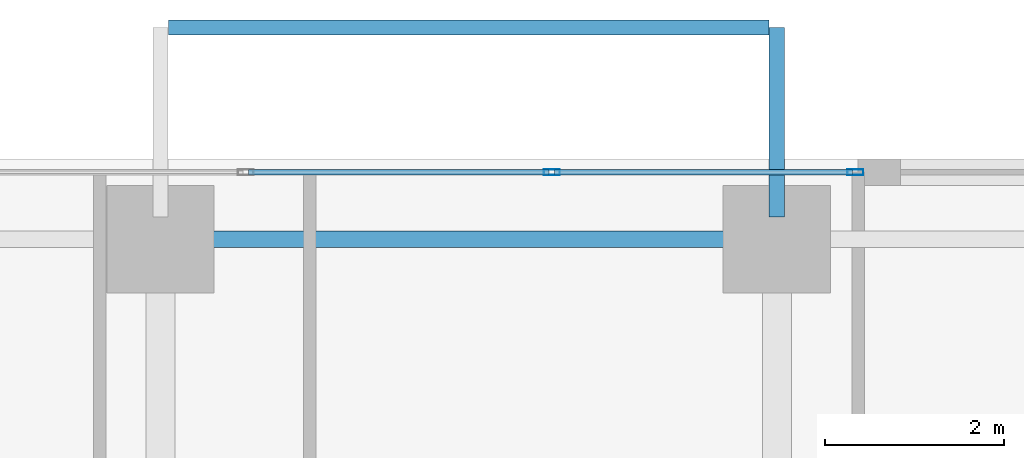
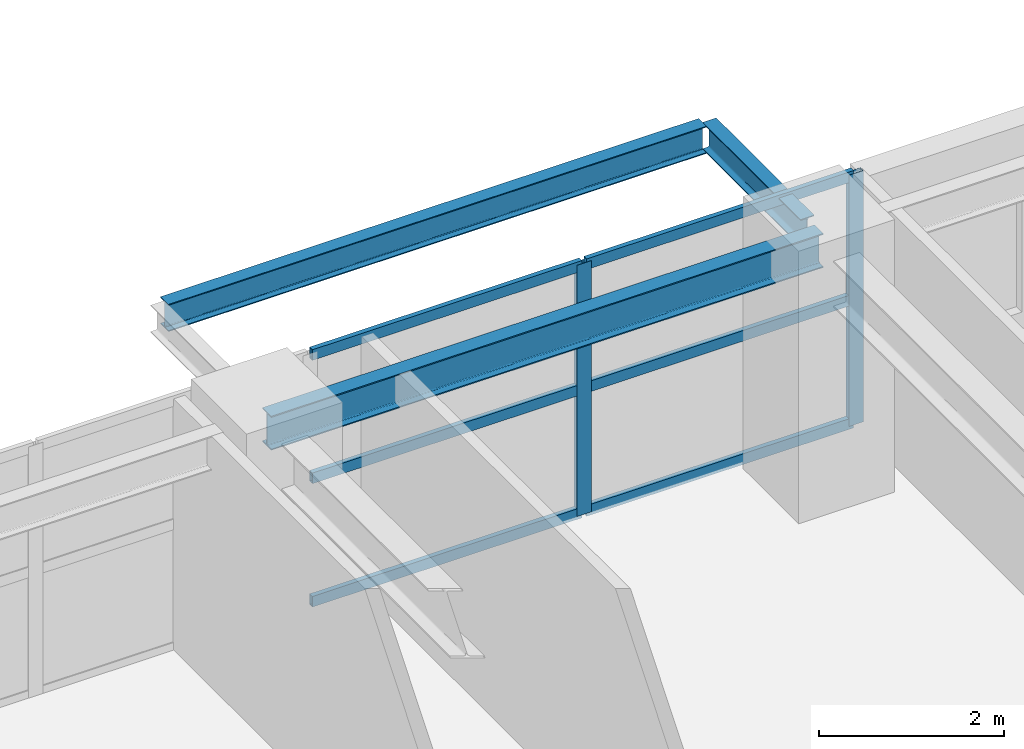
# One storey, part 15 of 24: 8 members, 3 beams, 1 element without a shape of its own.
"""IFC4 building model written with IfcOpenShell, lengths in metres."""

from ifc_helpers import new_model, si_unit, direction, frame, origin, origin_2d, place, context, subcontext, project, spatial, hollow_rectangle, i_section, extrude, source, transform, mapped, material, layer, layer_set, material_profile, profile_set, type_object, element, aggregate, save


model = new_model("IFC4")

# Units and contexts
model_context = context("Model", 3, precision=1e-05, world=origin(), true_north=direction((0.0, 1.0)))
body_context = subcontext(model_context, "Body", "Model", "MODEL_VIEW")
ifc_project = project(units=[si_unit("LENGTHUNIT", "METRE"), si_unit("AREAUNIT", "SQUARE_METRE"), si_unit("VOLUMEUNIT", "CUBIC_METRE"), si_unit("PLANEANGLEUNIT", "RADIAN"), si_unit("MASSUNIT", "GRAM", prefix="KILO")], contexts=[model_context])

# Site, building, storey
site_placement = place(None, origin())
site = spatial("IfcSite", under=ifc_project, at=site_placement, CompositionType="ELEMENT")
building_placement = place(site_placement, origin())
building = spatial("IfcBuilding", under=site, at=building_placement, Name="Khoralis Quay Care Tower", CompositionType="ELEMENT")
storey_placement = place(building_placement, frame((0.0, 0.0, 54.89990234375)))
storey = spatial("IfcBuildingStorey", under=building, at=storey_placement, Name="L14", CompositionType="ELEMENT", Elevation=54.89990234375)

# Beam
ifc_material_1 = material(Name="Steel S355", Category="steel")
ifc_material_profile_1 = material_profile(ifc_material_1, i_section(OverallWidth=0.18994140625, OverallDepth=0.449951171875, WebThickness=0.009521484375, FlangeThickness=0.0146484375, FilletRadius=0.02099609375, at=origin_2d()), Name="Steel S355")
ifc_profile_set_1 = profile_set([ifc_material_profile_1], Name="Steel S355")
beam_type_1 = type_object("IfcBeamType", Name="BM-IPE450", PredefinedType="SPANDREL", material=ifc_profile_set_1)
shared_shape_1 = source(origin(), body_context, "Body", "SweptSolid", [
    extrude(i_section(OverallWidth=0.18994140625, OverallDepth=0.449951171875, WebThickness=0.009521484375, FlangeThickness=0.0146484375, FilletRadius=0.02099609375, at=origin_2d()), origin(), (0.0, 0.0, 1.0), 6.89990234375),
])
beam_1_placement = place(storey_placement, frame((24.0, 47.10009765625, 3.09521484375), z_axis=(1.0, 0.0, 0.0), x_axis=(0.0, 1.0, 0.0)))
element("IfcBeam", 1, at=beam_1_placement, inside=storey, type_object=beam_type_1, Name="BM-TSP-L14-10", PredefinedType="SPANDREL", context=body_context, shape_type="MappedRepresentation", body=[
    mapped(shared_shape_1, transform((0.0, 0.0, 0.0), scale=1.0)),
])

# Curtain wall, members
ifc_material_2 = material(Name="Pale anodised aluminium", Category="aluminium")
ifc_layer = layer(ifc_material_2, 0.179931640625)
ifc_layer_set = layer_set([ifc_layer], Name="Pale anodised aluminium")
curtain_wall_type = type_object("IfcCurtainWallType", Name="CW-SYS-Z1", PredefinedType="NOTDEFINED", material=ifc_layer_set)
curtain_wall_placement = place(storey_placement, origin())
curtain_wall = element("IfcCurtainWall", 2, at=curtain_wall_placement, inside=storey, type_object=curtain_wall_type, Name="L14 Unitised Curtain Wall CW-L14-P1-E10", PredefinedType="NOTDEFINED")
ifc_material_profile_2 = material_profile(ifc_material_2, hollow_rectangle(XDim=0.06494140625, YDim=0.179931640625, WallThickness=0.00390625, at=origin_2d()), Name="Pale anodised aluminium")
ifc_profile_set_2 = profile_set([ifc_material_profile_2], Name="Pale anodised aluminium")
member_type_1 = type_object("IfcMemberType", Name="CW-MUL-180", PredefinedType="MULLION", material=ifc_profile_set_2)
shared_shape_2 = source(origin(), body_context, "Body", "SweptSolid", [
    extrude(hollow_rectangle(XDim=0.06494140625, YDim=0.179931640625, WallThickness=0.00390625, at=origin_2d()), origin(), (0.0, 0.0, 1.0), 3.320068359375),
])
member_1_placement = place(storey_placement, frame((31.780029296875, 47.85009765625, 0.0), z_axis=(0.0, 0.0, 1.0), x_axis=(0.0, -1.0, 0.0)))
member_1 = element("IfcMember", 3, at=member_1_placement, type_object=member_type_1, Name="CW1 mullion 1", PredefinedType="MULLION", context=body_context, shape_type="MappedRepresentation", body=[
    mapped(shared_shape_2, transform((0.0, 0.0, 0.0), scale=1.0)),
])
member_2_placement = place(storey_placement, frame((28.382080078125, 47.85009765625, 0.0), z_axis=(0.0, 0.0, 1.0), x_axis=(0.0, -1.0, 0.0)))
member_2 = element("IfcMember", 4, at=member_2_placement, type_object=member_type_1, Name="CW1 mullion 2", PredefinedType="MULLION", context=body_context, shape_type="MappedRepresentation", body=[
    mapped(shared_shape_2, transform((0.0, 0.0, 0.0), scale=1.0)),
])

# Beams
ifc_material_profile_3 = material_profile(ifc_material_1, i_section(OverallWidth=0.169921875, OverallDepth=0.360107421875, WebThickness=0.008056640625, FlangeThickness=0.0126953125, FilletRadius=0.01806640625, at=origin_2d()), Name="Steel S355")
ifc_profile_set_3 = profile_set([ifc_material_profile_3], Name="Steel S355")
beam_type_2 = type_object("IfcBeamType", Name="BM-IPE360", PredefinedType="SPANDREL", material=ifc_profile_set_3)
shared_shape_3 = source(origin(), body_context, "Body", "SweptSolid", [
    extrude(i_section(OverallWidth=0.169921875, OverallDepth=0.360107421875, WebThickness=0.008056640625, FlangeThickness=0.0126953125, FilletRadius=0.01806640625, at=origin_2d()), origin(), (0.0, 0.0, 1.0), 2.119873046875),
])
beam_2_placement = place(storey_placement, frame((30.89990234375, 47.35009765625, 3.14404296875), z_axis=(0.0, 1.0, 0.0), x_axis=(-1.0, 0.0, 0.0)))
element("IfcBeam", 5, at=beam_2_placement, inside=storey, type_object=beam_type_2, Name="L15 Balcony Cantilever Outrigger Beam 2", PredefinedType="SPANDREL", context=body_context, shape_type="MappedRepresentation", body=[
    mapped(shared_shape_3, transform((0.0, 0.0, 0.0), scale=1.0)),
])
shared_shape_4 = source(origin(), body_context, "Body", "SweptSolid", [
    extrude(i_section(OverallWidth=0.169921875, OverallDepth=0.360107421875, WebThickness=0.008056640625, FlangeThickness=0.0126953125, FilletRadius=0.01806640625, at=origin_2d()), origin(), (0.0, 0.0, 1.0), 6.72412109375),
])
beam_3_placement = place(storey_placement, frame((24.087890625, 49.469970703125, 3.14404296875), z_axis=(1.0, 0.0, 0.0), x_axis=(0.0, 1.0, 0.0)))
element("IfcBeam", 6, at=beam_3_placement, inside=storey, type_object=beam_type_2, Name="L15 Balcony Edge Spandrel Beam P1E10", PredefinedType="SPANDREL", context=body_context, shape_type="MappedRepresentation", body=[
    mapped(shared_shape_4, transform((0.0, 0.0, 0.0), scale=1.0)),
])

# Member
ifc_material_profile_4 = material_profile(ifc_material_2, hollow_rectangle(XDim=0.06005859375, YDim=0.139892578125, WallThickness=0.00390625, at=origin_2d()), Name="Pale anodised aluminium")
ifc_profile_set_4 = profile_set([ifc_material_profile_4], Name="Pale anodised aluminium")
member_type_2 = type_object("IfcMemberType", Name="CW-TRN-140", PredefinedType="USERDEFINED", material=ifc_profile_set_4)
shared_shape_5 = source(origin(), body_context, "Body", "SweptSolid", [
    extrude(hollow_rectangle(XDim=0.06005859375, YDim=0.139892578125, WallThickness=0.00390625, at=origin_2d()), origin(), (0.0, 0.0, 1.0), 3.337890625),
])
member_3_placement = place(storey_placement, frame((31.75, 47.85009765625, 0.030029296875), z_axis=(-1.0, 0.0, 0.0), x_axis=(0.0, -1.0, 0.0)))
member_3 = element("IfcMember", 7, at=member_3_placement, type_object=member_type_2, Name="CW1 transom 1.1", ObjectType="TRANSOM", PredefinedType="USERDEFINED", context=body_context, shape_type="MappedRepresentation", body=[
    mapped(shared_shape_5, transform((0.0, 0.0, 0.0), scale=1.0)),
])

member_4_placement = place(storey_placement, frame((31.75, 47.85009765625, 1.66015625), z_axis=(-1.0, 0.0, 0.0), x_axis=(0.0, -1.0, 0.0)))
member_4 = element("IfcMember", 8, at=member_4_placement, type_object=member_type_2, Name="CW1 transom 1.2", ObjectType="TRANSOM", PredefinedType="USERDEFINED", context=body_context, shape_type="MappedRepresentation", body=[
    mapped(shared_shape_5, transform((0.0, 0.0, 0.0), scale=1.0)),
])

member_5_placement = place(storey_placement, frame((31.75, 47.85009765625, 3.2900390625), z_axis=(-1.0, 0.0, 0.0), x_axis=(0.0, -1.0, 0.0)))
member_5 = element("IfcMember", 9, at=member_5_placement, type_object=member_type_2, Name="CW1 transom 1.3", ObjectType="TRANSOM", PredefinedType="USERDEFINED", context=body_context, shape_type="MappedRepresentation", body=[
    mapped(shared_shape_5, transform((0.0, 0.0, 0.0), scale=1.0)),
])

shared_shape_6 = source(origin(), body_context, "Body", "SweptSolid", [
    extrude(hollow_rectangle(XDim=0.06005859375, YDim=0.139892578125, WallThickness=0.00390625, at=origin_2d()), origin(), (0.0, 0.0, 1.0), 3.3681640625),
])
member_6_placement = place(storey_placement, frame((28.35205078125, 47.85009765625, 0.030029296875), z_axis=(-1.0, 0.0, 0.0), x_axis=(0.0, -1.0, 0.0)))
member_6 = element("IfcMember", 10, at=member_6_placement, type_object=member_type_2, Name="CW1 transom 2.1", ObjectType="TRANSOM", PredefinedType="USERDEFINED", context=body_context, shape_type="MappedRepresentation", body=[
    mapped(shared_shape_6, transform((0.0, 0.0, 0.0), scale=1.0)),
])

member_7_placement = place(storey_placement, frame((28.35205078125, 47.85009765625, 1.66015625), z_axis=(-1.0, 0.0, 0.0), x_axis=(0.0, -1.0, 0.0)))
member_7 = element("IfcMember", 11, at=member_7_placement, type_object=member_type_2, Name="CW1 transom 2.2", ObjectType="TRANSOM", PredefinedType="USERDEFINED", context=body_context, shape_type="MappedRepresentation", body=[
    mapped(shared_shape_6, transform((0.0, 0.0, 0.0), scale=1.0)),
])

member_8_placement = place(storey_placement, frame((28.35205078125, 47.85009765625, 3.2900390625), z_axis=(-1.0, 0.0, 0.0), x_axis=(0.0, -1.0, 0.0)))
member_8 = element("IfcMember", 12, at=member_8_placement, type_object=member_type_2, Name="CW1 transom 2.3", ObjectType="TRANSOM", PredefinedType="USERDEFINED", context=body_context, shape_type="MappedRepresentation", body=[
    mapped(shared_shape_6, transform((0.0, 0.0, 0.0), scale=1.0)),
])

aggregate(curtain_wall, [member_1, member_2, member_3, member_4, member_5, member_6, member_7, member_8])

save(model, "model.ifc")
